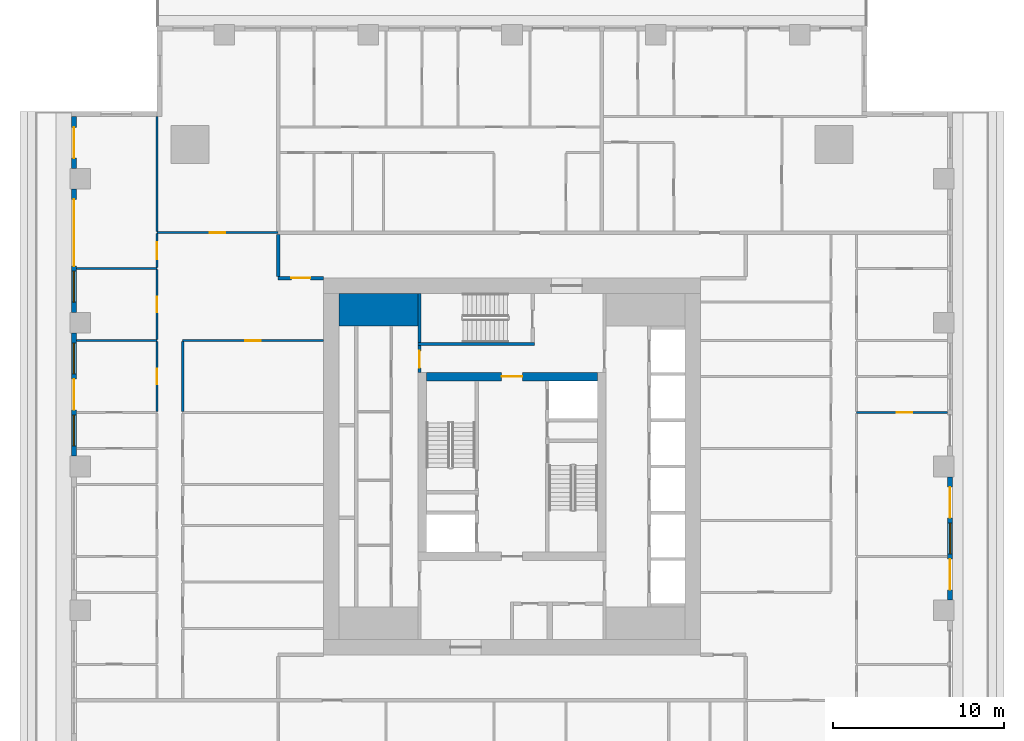
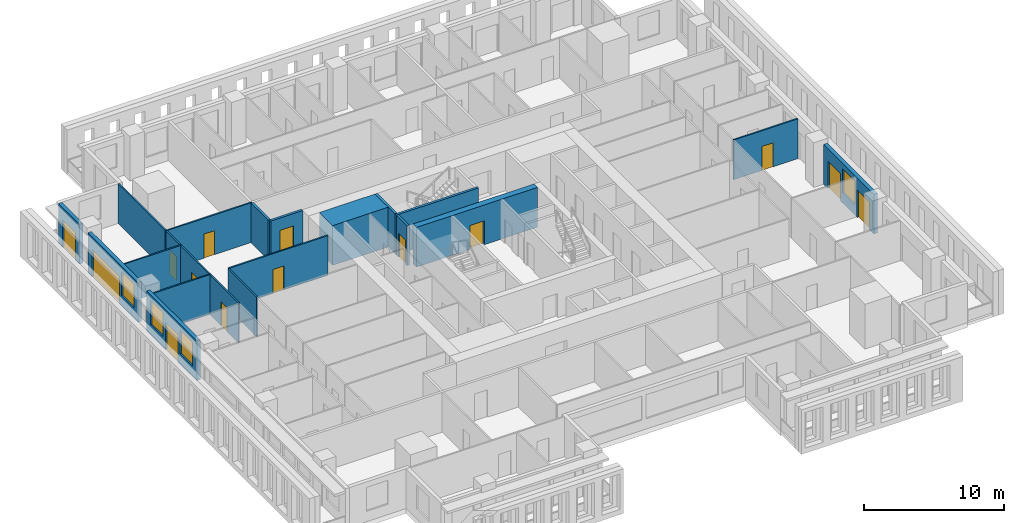
# One storey, part 6 of 15: 21 walls, 14 doors, 4 windows, 18 openings.
"""IFC4 building model written with IfcOpenShell, lengths in metres."""

from ifc_helpers import new_model, si_unit, direction, frame, frame_2d, origin, place, context, subcontext, project, spatial, rectangle, extrude, material, layer, layer_set, type_object, element, fill, save


model = new_model("IFC4")

# Units and contexts
model_context = context("Model", 3, precision=1e-05, world=origin(), true_north=direction((0.0, 1.0)))
body_context = subcontext(model_context, "Body", "Model", "MODEL_VIEW")
ifc_project = project(units=[si_unit("LENGTHUNIT", "METRE"), si_unit("AREAUNIT", "SQUARE_METRE"), si_unit("VOLUMEUNIT", "CUBIC_METRE"), si_unit("PLANEANGLEUNIT", "RADIAN"), si_unit("MASSUNIT", "GRAM", prefix="KILO")], contexts=[model_context])

# Site, building, storey
site_placement = place(None, origin())
site = spatial("IfcSite", under=ifc_project, at=site_placement, CompositionType="ELEMENT")
building_placement = place(site_placement, origin())
building = spatial("IfcBuilding", under=site, at=building_placement, Name="Khepri Terraces", CompositionType="ELEMENT")
storey_placement = place(building_placement, frame((0.0, 0.0, 260.10009765625)))
storey = spatial("IfcBuildingStorey", under=building, at=storey_placement, Name="L62", CompositionType="ELEMENT", Elevation=260.10009765625)

# Walls
ifc_material_1 = material(Name="Concrete C40/50", Category="concrete")
ifc_layer_1 = layer(ifc_material_1, 1.89990234375, Name="Concrete C40/50", Category="concrete")
ifc_layer_set_1 = layer_set([ifc_layer_1], Name="Concrete C40/50")
wall_type_1 = type_object("IfcWallType", Name="Core wall 1900 C40/50", PredefinedType="SHEAR", material=ifc_layer_set_1)
wall_1_placement = place(storey_placement, frame((-10.10009765625, 9.14990234375, 0.0), z_axis=(0.0, 0.0, 1.0), x_axis=(1.0, 0.0, 0.0)))
element("IfcWall", 1, at=wall_1_placement, inside=storey, type_object=wall_type_1, Name="Core wall PR03 L62", PredefinedType="SHEAR", context=body_context, shape_type="SweptSolid", body=[
    extrude(rectangle(XDim=4.60009765625, YDim=1.89990234375, at=frame_2d((2.300048828125, 0.0))), origin(), (0.0, 0.0, 1.0), 3.47998046875),
])
ifc_layer_2 = layer(ifc_material_1, 0.199951171875, Name="Concrete C40/50", Category="concrete")
ifc_layer_set_2 = layer_set([ifc_layer_2], Name="Concrete C40/50")
wall_type_2 = type_object("IfcWallType", Name="Core wall 200 C40/50", PredefinedType="SHEAR", material=ifc_layer_set_2)
wall_2_placement = place(storey_placement, frame((-5.5, 7.14990234375, 0.0), z_axis=(0.0, 0.0, 1.0), x_axis=(1.0, 0.0, 0.0)))
element("IfcWall", 2, at=wall_2_placement, inside=storey, type_object=wall_type_2, Name="Core wall ST05 L62", PredefinedType="SHEAR", context=body_context, shape_type="SweptSolid", body=[
    extrude(rectangle(XDim=6.800048828125, YDim=0.199951171875, at=frame_2d((3.39990234375, 0.0))), origin(), (0.0, 0.0, 1.0), 3.47998046875),
])
wall_3_placement = place(storey_placement, frame((-5.39990234375, 7.25, 0.0), z_axis=(0.0, 0.0, 1.0), x_axis=(0.0, 1.0, 0.0)))
element("IfcWall", 3, at=wall_3_placement, inside=storey, type_object=wall_type_2, Name="Core wall ST06 L62", PredefinedType="SHEAR", context=body_context, shape_type="SweptSolid", body=[
    extrude(rectangle(XDim=2.85009765625, YDim=0.199951171875, at=frame_2d((1.425048828125, 0.0))), origin(), (0.0, 0.0, 1.0), 3.47998046875),
])

# Wall, opening, door
ifc_layer_3 = layer(ifc_material_1, 0.5, Name="Concrete C40/50", Category="concrete")
ifc_layer_set_3 = layer_set([ifc_layer_3], Name="Concrete C40/50")
wall_type_3 = type_object("IfcWallType", Name="Core wall 500 C40/50", PredefinedType="SHEAR", material=ifc_layer_set_3)
wall_4_placement = place(storey_placement, frame((-5.0, 5.25, 0.0), z_axis=(0.0, 0.0, 1.0), x_axis=(1.0, 0.0, 0.0)))
wall_4 = element("IfcWall", 4, at=wall_4_placement, inside=storey, type_object=wall_type_3, Name="Core wall BX04 L62", PredefinedType="SHEAR", context=body_context, shape_type="SweptSolid", body=[
    extrude(rectangle(XDim=10.0, YDim=0.5, at=frame_2d((5.0, 0.0))), origin(), (0.0, 0.0, 1.0), 3.47998046875),
])
opening_1_placement = place(wall_4_placement, frame((4.39990234375, 0.0, 0.0)))
opening_1 = element("IfcOpeningElement", 5, at=opening_1_placement, cuts=wall_4, Name="Opening L62-C13", PredefinedType="OPENING", context=body_context, shape_type="SweptSolid", body=[
    extrude(rectangle(XDim=1.199951171875, YDim=2.10009765625, at=frame_2d((0.60009765625, 1.050048828125))), frame((0.0, 0.260009765625, 0.0), z_axis=(0.0, -1.0, 0.0), x_axis=(1.0, 0.0, 0.0)), (0.0, 0.0, 1.0), 0.52001953125),
])
ifc_material_2 = material(Name="Painted steel", Category="steel")
door_type_1 = type_object("IfcDoorType", Name="DR-CORE-FF-LOBBY-1200", OperationType="NOTDEFINED", PredefinedType="DOOR", material=ifc_material_2)
door_1_placement = place(opening_1_placement, frame((1.199951171875, 0.0, 0.0), z_axis=(0.0, 0.0, 1.0), x_axis=(-1.0, 0.0, 0.0)))
door_1 = element("IfcDoor", 6, at=door_1_placement, inside=storey, type_object=door_type_1, Name="Firefighting lobby door L62-C13", OperationType="SINGLE_SWING_LEFT", OverallHeight=2.10009765625, OverallWidth=1.199951171875, PredefinedType="DOOR", context=body_context, shape_type="SweptSolid", body=[
    extrude(rectangle(XDim=1.199951171875, YDim=2.10009765625, at=frame_2d((0.60009765625, 1.050048828125))), frame((0.0, 0.02490234375, 0.0), z_axis=(0.0, -1.0, 0.0), x_axis=(1.0, 0.0, 0.0)), (0.0, 0.0, 1.0), 0.050048828125),
])
fill(opening_1, door_1)

ifc_material_3 = material(Name="Fire-rated gypsum board partition")
ifc_layer_4 = layer(ifc_material_3, 0.199951171875, Name="Fire-rated gypsum board partition")
ifc_layer_set_4 = layer_set([ifc_layer_4], Name="Fire-rated gypsum board partition")
wall_type_4 = type_object("IfcWallType", Name="WL-CORE-PART-200", PredefinedType="PARTITIONING", material=ifc_layer_set_4)
wall_5_placement = place(storey_placement, frame((-5.39990234375, 5.5, 0.0), z_axis=(0.0, 0.0, 1.0), x_axis=(0.0, 1.0, 0.0)))
wall_5 = element("IfcWall", 7, at=wall_5_placement, inside=storey, type_object=wall_type_4, Name="Core partition PT11 L62", PredefinedType="PARTITIONING", context=body_context, shape_type="SweptSolid", body=[
    extrude(rectangle(XDim=1.550048828125, YDim=0.199951171875, at=frame_2d((0.77490234375, 0.0))), origin(), (0.0, 0.0, 1.0), 3.47998046875),
])
opening_2_placement = place(wall_5_placement, frame((0.25, 0.0, 0.0)))
opening_2 = element("IfcOpeningElement", 8, at=opening_2_placement, cuts=wall_5, Name="Opening L62-C16", PredefinedType="OPENING", context=body_context, shape_type="SweptSolid", body=[
    extrude(rectangle(XDim=1.0, YDim=2.10009765625, at=frame_2d((0.5, 1.050048828125))), frame((0.0, 0.10986328125, 0.0), z_axis=(0.0, -1.0, 0.0), x_axis=(1.0, 0.0, 0.0)), (0.0, 0.0, 1.0), 0.219970703125),
])
door_type_2 = type_object("IfcDoorType", Name="DR-CORE-LOBBY-1000", OperationType="NOTDEFINED", PredefinedType="DOOR", material=ifc_material_2)
door_2_placement = place(opening_2_placement, frame((1.0, 0.0, 0.0), z_axis=(0.0, 0.0, 1.0), x_axis=(-1.0, 0.0, 0.0)))
door_2 = element("IfcDoor", 9, at=door_2_placement, inside=storey, type_object=door_type_2, Name="Lobby door L62-C16", OperationType="SINGLE_SWING_RIGHT", OverallHeight=2.10009765625, OverallWidth=1.0, PredefinedType="DOOR", context=body_context, shape_type="SweptSolid", body=[
    extrude(rectangle(XDim=1.0, YDim=2.10009765625, at=frame_2d((0.5, 1.050048828125))), frame((0.0, 0.02490234375, 0.0), z_axis=(0.0, -1.0, 0.0), x_axis=(1.0, 0.0, 0.0)), (0.0, 0.0, 1.0), 0.050048828125),
])
fill(opening_2, door_2)

ifc_material_4 = material(Name="Fire-rated gypsum plasterboard partition, mineral wool")
ifc_layer_5 = layer(ifc_material_4, 0.199951171875, Name="Fire-rated gypsum plasterboard partition, mineral wool")
ifc_layer_set_5 = layer_set([ifc_layer_5], Name="Fire-rated gypsum plasterboard partition, mineral wool")
wall_type_5 = type_object("IfcWallType", Name="WL-CORR-200", PredefinedType="PARTITIONING", material=ifc_layer_set_5)
wall_6_placement = place(storey_placement, frame((-13.64990234375, 11.0, 0.0), z_axis=(0.0, 0.0, 1.0), x_axis=(1.0, 0.0, 0.0)))
wall_6 = element("IfcWall", 10, at=wall_6_placement, inside=storey, type_object=wall_type_5, Name="Partition P-071 L62", PredefinedType="PARTITIONING", context=body_context, shape_type="SweptSolid", body=[
    extrude(rectangle(XDim=2.64990234375, YDim=0.199951171875, at=frame_2d((1.324951171875, 0.0))), origin(), (0.0, 0.0, 1.0), 3.47998046875),
])
opening_3_placement = place(wall_6_placement, frame((0.77490234375, 0.0, 0.0)))
opening_3 = element("IfcOpeningElement", 11, at=opening_3_placement, cuts=wall_6, Name="Opening D1", PredefinedType="OPENING", context=body_context, shape_type="SweptSolid", body=[
    extrude(rectangle(XDim=1.10009765625, YDim=2.39990234375, at=frame_2d((0.550048828125, 1.199951171875))), frame((0.0, 0.10986328125, 0.0), z_axis=(0.0, -1.0, 0.0), x_axis=(1.0, 0.0, 0.0)), (0.0, 0.0, 1.0), 0.219970703125),
])
ifc_material_5 = material(Name="Solid-core timber door leaf, flat entrance door", Category="wood")
door_type_3 = type_object("IfcDoorType", Name="DR-ENT-1100", OperationType="NOTDEFINED", PredefinedType="DOOR", material=ifc_material_5)
door_3_placement = place(opening_3_placement, frame((1.10009765625, 0.0, 0.0), z_axis=(0.0, 0.0, 1.0), x_axis=(-1.0, 0.0, 0.0)))
door_3 = element("IfcDoor", 12, at=door_3_placement, inside=storey, type_object=door_type_3, Name="Flat D1 entrance door", OperationType="SINGLE_SWING_LEFT", OverallHeight=2.39990234375, OverallWidth=1.10009765625, PredefinedType="DOOR", context=body_context, shape_type="SweptSolid", body=[
    extrude(rectangle(XDim=1.10009765625, YDim=2.39990234375, at=frame_2d((0.550048828125, 1.199951171875))), frame((0.0, 0.02490234375, 0.0), z_axis=(0.0, -1.0, 0.0), x_axis=(1.0, 0.0, 0.0)), (0.0, 0.0, 1.0), 0.050048828125),
])
fill(opening_3, door_3)

# Wall
wall_7_placement = place(storey_placement, frame((-13.64990234375, 11.10009765625, 0.0), z_axis=(0.0, 0.0, 1.0), x_axis=(0.0, 1.0, 0.0)))
element("IfcWall", 13, at=wall_7_placement, inside=storey, type_object=wall_type_5, Name="Partition P-073 L62", PredefinedType="PARTITIONING", context=body_context, shape_type="SweptSolid", body=[
    extrude(rectangle(XDim=2.449951171875, YDim=0.199951171875, at=frame_2d((1.22509765625, 0.0))), origin(), (0.0, 0.0, 1.0), 3.47998046875),
])

# Wall, openings, doors, window
ifc_material_6 = material(Name="Precast concrete C50/60 warm stone", Category="masonry")
ifc_layer_6 = layer(ifc_material_6, 0.300048828125, Name="Precast concrete C50/60 warm stone", Category="masonry")
ifc_layer_set_6 = layer_set([ifc_layer_6], Name="Precast concrete C50/60 warm stone")
wall_type_6 = type_object("IfcWallType", Name="WL-EXT-PRECAST-300", PredefinedType="STANDARD", material=ifc_layer_set_6)
wall_8_placement = place(storey_placement, frame((25.570068359375, -7.800048828125, 0.0), z_axis=(0.0, 0.0, 1.0), x_axis=(0.0, 1.0, 0.0)))
wall_8 = element("IfcWall", 14, at=wall_8_placement, inside=storey, type_object=wall_type_6, Name="External wall L62 E", PredefinedType="STANDARD", context=body_context, shape_type="SweptSolid", body=[
    extrude(rectangle(XDim=7.199951171875, YDim=0.300048828125, at=frame_2d((3.60009765625, 0.0))), origin(), (0.0, 0.0, 1.0), 3.47998046875),
])
opening_4_placement = place(wall_8_placement, frame((0.60009765625, 0.0, 0.0)))
opening_4 = element("IfcOpeningElement", 15, at=opening_4_placement, cuts=wall_8, Name="Opening ED-L62-04", PredefinedType="OPENING", context=body_context, shape_type="SweptSolid", body=[
    extrude(rectangle(XDim=1.800048828125, YDim=2.39990234375, at=frame_2d((0.89990234375, 1.199951171875))), frame((0.0, 0.16015625, 0.0), z_axis=(0.0, -1.0, 0.0), x_axis=(1.0, 0.0, 0.0)), (0.0, 0.0, 1.0), 0.320068359375),
])
opening_5_placement = place(wall_8_placement, frame((2.699951171875, 0.0, 0.89990234375)))
opening_5 = element("IfcOpeningElement", 16, at=opening_5_placement, cuts=wall_8, Name="Opening W1", PredefinedType="OPENING", context=body_context, shape_type="SweptSolid", body=[
    extrude(rectangle(XDim=1.800048828125, YDim=2.10009765625, at=frame_2d((0.89990234375, 1.050048828125))), frame((0.0, 0.16015625, 0.0), z_axis=(0.0, -1.0, 0.0), x_axis=(1.0, 0.0, 0.0)), (0.0, 0.0, 1.0), 0.320068359375),
])
opening_6_placement = place(wall_8_placement, frame((4.800048828125, 0.0, 0.0)))
opening_6 = element("IfcOpeningElement", 17, at=opening_6_placement, cuts=wall_8, Name="Opening ED-L62-05", PredefinedType="OPENING", context=body_context, shape_type="SweptSolid", body=[
    extrude(rectangle(XDim=1.800048828125, YDim=2.39990234375, at=frame_2d((0.89990234375, 1.199951171875))), frame((0.0, 0.16015625, 0.0), z_axis=(0.0, -1.0, 0.0), x_axis=(1.0, 0.0, 0.0)), (0.0, 0.0, 1.0), 0.320068359375),
])
ifc_material_7 = material(Name="Anodised aluminium bronze glazed door", Category="aluminium")
door_type_4 = type_object("IfcDoorType", Name="DR-BAL-SLIDE-1800x2400", OperationType="NOTDEFINED", PredefinedType="DOOR", material=ifc_material_7)
door_4_placement = place(opening_4_placement, origin())
door_4 = element("IfcDoor", 18, at=door_4_placement, inside=storey, type_object=door_type_4, Name="Balcony door L62 E", OperationType="SLIDING_TO_LEFT", OverallHeight=2.39990234375, OverallWidth=1.800048828125, PredefinedType="DOOR", context=body_context, shape_type="SweptSolid", body=[
    extrude(rectangle(XDim=1.800048828125, YDim=2.39990234375, at=frame_2d((0.89990234375, 1.199951171875))), frame((0.0, 0.02490234375, 0.0), z_axis=(0.0, -1.0, 0.0), x_axis=(1.0, 0.0, 0.0)), (0.0, 0.0, 1.0), 0.050048828125),
])
fill(opening_4, door_4)
door_5_placement = place(opening_6_placement, origin())
door_5 = element("IfcDoor", 19, at=door_5_placement, inside=storey, type_object=door_type_4, Name="Balcony door L62 E", OperationType="SLIDING_TO_RIGHT", OverallHeight=2.39990234375, OverallWidth=1.800048828125, PredefinedType="DOOR", context=body_context, shape_type="SweptSolid", body=[
    extrude(rectangle(XDim=1.800048828125, YDim=2.39990234375, at=frame_2d((0.89990234375, 1.199951171875))), frame((0.0, 0.02490234375, 0.0), z_axis=(0.0, -1.0, 0.0), x_axis=(1.0, 0.0, 0.0)), (0.0, 0.0, 1.0), 0.050048828125),
])
fill(opening_6, door_5)
ifc_material_8 = material(Name="Clear glass", Category="glass")
window_type = type_object("IfcWindowType", Name="WIN-RES-1800x2100", PartitioningType="SINGLE_PANEL", PredefinedType="WINDOW", material=ifc_material_8)
window_1_placement = place(opening_5_placement, origin())
window_1 = element("IfcWindow", 20, at=window_1_placement, inside=storey, type_object=window_type, Name="Window L62 E", OverallHeight=2.10009765625, OverallWidth=1.800048828125, PartitioningType="SINGLE_PANEL", PredefinedType="WINDOW", context=body_context, shape_type="SweptSolid", body=[
    extrude(rectangle(XDim=1.800048828125, YDim=2.10009765625, at=frame_2d((0.89990234375, 1.050048828125))), frame((0.0, 0.030029296875, 0.0), z_axis=(0.0, -1.0, 0.0), x_axis=(1.0, 0.0, 0.0)), (0.0, 0.0, 1.0), 0.06005859375),
])
fill(opening_5, window_1)

# Wall, opening, door
wall_9_placement = place(storey_placement, frame((-25.570068359375, 20.419921875, 0.0), z_axis=(0.0, 0.0, 1.0), x_axis=(0.0, -1.0, 0.0)))
wall_9 = element("IfcWall", 21, at=wall_9_placement, inside=storey, type_object=wall_type_6, Name="External wall L62 W", PredefinedType="STANDARD", context=body_context, shape_type="SweptSolid", body=[
    extrude(rectangle(XDim=3.02001953125, YDim=0.300048828125, at=frame_2d((1.510009765625, 0.0))), origin(), (0.0, 0.0, 1.0), 3.47998046875),
])
opening_7_placement = place(wall_9_placement, frame((0.6201171875, 0.0, 0.0)))
opening_7 = element("IfcOpeningElement", 22, at=opening_7_placement, cuts=wall_9, Name="Opening ED-L62-12", PredefinedType="OPENING", context=body_context, shape_type="SweptSolid", body=[
    extrude(rectangle(XDim=1.800048828125, YDim=2.39990234375, at=frame_2d((0.89990234375, 1.199951171875))), frame((0.0, 0.16015625, 0.0), z_axis=(0.0, -1.0, 0.0), x_axis=(1.0, 0.0, 0.0)), (0.0, 0.0, 1.0), 0.320068359375),
])
door_6_placement = place(opening_7_placement, origin())
door_6 = element("IfcDoor", 23, at=door_6_placement, inside=storey, type_object=door_type_4, Name="Balcony door L62 W", OperationType="SLIDING_TO_RIGHT", OverallHeight=2.39990234375, OverallWidth=1.800048828125, PredefinedType="DOOR", context=body_context, shape_type="SweptSolid", body=[
    extrude(rectangle(XDim=1.800048828125, YDim=2.39990234375, at=frame_2d((0.89990234375, 1.199951171875))), frame((0.0, 0.02490234375, 0.0), z_axis=(0.0, -1.0, 0.0), x_axis=(1.0, 0.0, 0.0)), (0.0, 0.0, 1.0), 0.050048828125),
])
fill(opening_7, door_6)

# Wall, openings, door, window
wall_10_placement = place(storey_placement, frame((-25.570068359375, 16.199951171875, 0.0), z_axis=(0.0, 0.0, 1.0), x_axis=(0.0, -1.0, 0.0)))
wall_10 = element("IfcWall", 24, at=wall_10_placement, inside=storey, type_object=wall_type_6, Name="External wall L62 W", PredefinedType="STANDARD", context=body_context, shape_type="SweptSolid", body=[
    extrude(rectangle(XDim=7.199951171875, YDim=0.300048828125, at=frame_2d((3.60009765625, 0.0))), origin(), (0.0, 0.0, 1.0), 3.47998046875),
])
opening_8_placement = place(wall_10_placement, frame((0.60009765625, 0.0, 0.0)))
opening_8 = element("IfcOpeningElement", 25, at=opening_8_placement, cuts=wall_10, Name="Opening ED-L62-13", PredefinedType="OPENING", context=body_context, shape_type="SweptSolid", body=[
    extrude(rectangle(XDim=3.89990234375, YDim=2.39990234375, at=frame_2d((1.949951171875, 1.199951171875))), frame((0.0, 0.16015625, 0.0), z_axis=(0.0, -1.0, 0.0), x_axis=(1.0, 0.0, 0.0)), (0.0, 0.0, 1.0), 0.320068359375),
])
opening_9_placement = place(wall_10_placement, frame((4.800048828125, 0.0, 0.89990234375)))
opening_9 = element("IfcOpeningElement", 26, at=opening_9_placement, cuts=wall_10, Name="Opening W1", PredefinedType="OPENING", context=body_context, shape_type="SweptSolid", body=[
    extrude(rectangle(XDim=1.800048828125, YDim=2.10009765625, at=frame_2d((0.89990234375, 1.050048828125))), frame((0.0, 0.16015625, 0.0), z_axis=(0.0, -1.0, 0.0), x_axis=(1.0, 0.0, 0.0)), (0.0, 0.0, 1.0), 0.320068359375),
])
door_type_5 = type_object("IfcDoorType", Name="DR-BAL-SLIDE-3900x2400", OperationType="NOTDEFINED", PredefinedType="DOOR", material=ifc_material_7)
door_7_placement = place(opening_8_placement, origin())
door_7 = element("IfcDoor", 27, at=door_7_placement, inside=storey, type_object=door_type_5, Name="Balcony door L62 W", OperationType="SLIDING_TO_LEFT", OverallHeight=2.39990234375, OverallWidth=3.89990234375, PredefinedType="DOOR", context=body_context, shape_type="SweptSolid", body=[
    extrude(rectangle(XDim=3.89990234375, YDim=2.39990234375, at=frame_2d((1.949951171875, 1.199951171875))), frame((0.0, 0.02490234375, 0.0), z_axis=(0.0, -1.0, 0.0), x_axis=(1.0, 0.0, 0.0)), (0.0, 0.0, 1.0), 0.050048828125),
])
fill(opening_8, door_7)
window_2_placement = place(opening_9_placement, origin())
window_2 = element("IfcWindow", 28, at=window_2_placement, inside=storey, type_object=window_type, Name="Window L62 W", OverallHeight=2.10009765625, OverallWidth=1.800048828125, PartitioningType="SINGLE_PANEL", PredefinedType="WINDOW", context=body_context, shape_type="SweptSolid", body=[
    extrude(rectangle(XDim=1.800048828125, YDim=2.10009765625, at=frame_2d((0.89990234375, 1.050048828125))), frame((0.0, 0.030029296875, 0.0), z_axis=(0.0, -1.0, 0.0), x_axis=(1.0, 0.0, 0.0)), (0.0, 0.0, 1.0), 0.06005859375),
])
fill(opening_9, window_2)

# Wall, openings, door, windows
wall_11_placement = place(storey_placement, frame((-25.570068359375, 7.800048828125, 0.0), z_axis=(0.0, 0.0, 1.0), x_axis=(0.0, -1.0, 0.0)))
wall_11 = element("IfcWall", 29, at=wall_11_placement, inside=storey, type_object=wall_type_6, Name="External wall L62 W", PredefinedType="STANDARD", context=body_context, shape_type="SweptSolid", body=[
    extrude(rectangle(XDim=7.199951171875, YDim=0.300048828125, at=frame_2d((3.60009765625, 0.0))), origin(), (0.0, 0.0, 1.0), 3.47998046875),
])
opening_10_placement = place(wall_11_placement, frame((0.60009765625, 0.0, 0.89990234375)))
opening_10 = element("IfcOpeningElement", 30, at=opening_10_placement, cuts=wall_11, Name="Opening W1", PredefinedType="OPENING", context=body_context, shape_type="SweptSolid", body=[
    extrude(rectangle(XDim=1.800048828125, YDim=2.10009765625, at=frame_2d((0.89990234375, 1.050048828125))), frame((0.0, 0.16015625, 0.0), z_axis=(0.0, -1.0, 0.0), x_axis=(1.0, 0.0, 0.0)), (0.0, 0.0, 1.0), 0.320068359375),
])
opening_11_placement = place(wall_11_placement, frame((2.699951171875, 0.0, 0.0)))
opening_11 = element("IfcOpeningElement", 31, at=opening_11_placement, cuts=wall_11, Name="Opening ED-L62-14", PredefinedType="OPENING", context=body_context, shape_type="SweptSolid", body=[
    extrude(rectangle(XDim=1.800048828125, YDim=2.39990234375, at=frame_2d((0.89990234375, 1.199951171875))), frame((0.0, 0.16015625, 0.0), z_axis=(0.0, -1.0, 0.0), x_axis=(1.0, 0.0, 0.0)), (0.0, 0.0, 1.0), 0.320068359375),
])
opening_12_placement = place(wall_11_placement, frame((4.800048828125, 0.0, 0.89990234375)))
opening_12 = element("IfcOpeningElement", 32, at=opening_12_placement, cuts=wall_11, Name="Opening W1", PredefinedType="OPENING", context=body_context, shape_type="SweptSolid", body=[
    extrude(rectangle(XDim=1.800048828125, YDim=2.10009765625, at=frame_2d((0.89990234375, 1.050048828125))), frame((0.0, 0.16015625, 0.0), z_axis=(0.0, -1.0, 0.0), x_axis=(1.0, 0.0, 0.0)), (0.0, 0.0, 1.0), 0.320068359375),
])
door_8_placement = place(opening_11_placement, origin())
door_8 = element("IfcDoor", 33, at=door_8_placement, inside=storey, type_object=door_type_4, Name="Balcony door L62 W", OperationType="SLIDING_TO_LEFT", OverallHeight=2.39990234375, OverallWidth=1.800048828125, PredefinedType="DOOR", context=body_context, shape_type="SweptSolid", body=[
    extrude(rectangle(XDim=1.800048828125, YDim=2.39990234375, at=frame_2d((0.89990234375, 1.199951171875))), frame((0.0, 0.02490234375, 0.0), z_axis=(0.0, -1.0, 0.0), x_axis=(1.0, 0.0, 0.0)), (0.0, 0.0, 1.0), 0.050048828125),
])
fill(opening_11, door_8)
window_3_placement = place(opening_10_placement, origin())
window_3 = element("IfcWindow", 34, at=window_3_placement, inside=storey, type_object=window_type, Name="Window L62 W", OverallHeight=2.10009765625, OverallWidth=1.800048828125, PartitioningType="SINGLE_PANEL", PredefinedType="WINDOW", context=body_context, shape_type="SweptSolid", body=[
    extrude(rectangle(XDim=1.800048828125, YDim=2.10009765625, at=frame_2d((0.89990234375, 1.050048828125))), frame((0.0, 0.030029296875, 0.0), z_axis=(0.0, -1.0, 0.0), x_axis=(1.0, 0.0, 0.0)), (0.0, 0.0, 1.0), 0.06005859375),
])
fill(opening_10, window_3)
window_4_placement = place(opening_12_placement, origin())
window_4 = element("IfcWindow", 35, at=window_4_placement, inside=storey, type_object=window_type, Name="Window L62 W", OverallHeight=2.10009765625, OverallWidth=1.800048828125, PartitioningType="SINGLE_PANEL", PredefinedType="WINDOW", context=body_context, shape_type="SweptSolid", body=[
    extrude(rectangle(XDim=1.800048828125, YDim=2.10009765625, at=frame_2d((0.89990234375, 1.050048828125))), frame((0.0, 0.030029296875, 0.0), z_axis=(0.0, -1.0, 0.0), x_axis=(1.0, 0.0, 0.0)), (0.0, 0.0, 1.0), 0.06005859375),
])
fill(opening_12, window_4)

# Wall, opening, door
ifc_material_9 = material(Name="Gypsum plasterboard partition")
ifc_layer_7 = layer(ifc_material_9, 0.1201171875, Name="Gypsum plasterboard partition")
ifc_layer_set_7 = layer_set([ifc_layer_7], Name="Gypsum plasterboard partition")
wall_type_7 = type_object("IfcWallType", Name="WL-PART-120", PredefinedType="PARTITIONING", material=ifc_layer_set_7)
wall_12_placement = place(storey_placement, frame((20.1201171875, 3.14990234375, 0.0), z_axis=(0.0, 0.0, 1.0), x_axis=(1.0, 0.0, 0.0)))
wall_12 = element("IfcWall", 36, at=wall_12_placement, inside=storey, type_object=wall_type_7, Name="Partition P-054 L62", PredefinedType="PARTITIONING", context=body_context, shape_type="SweptSolid", body=[
    extrude(rectangle(XDim=5.2998046875, YDim=0.1201171875, at=frame_2d((2.64990234375, 0.0))), origin(), (0.0, 0.0, 1.0), 3.47998046875),
])
opening_13_placement = place(wall_12_placement, frame((2.35009765625, 0.0, 0.0)))
opening_13 = element("IfcOpeningElement", 37, at=opening_13_placement, cuts=wall_12, Name="Opening D3", PredefinedType="OPENING", context=body_context, shape_type="SweptSolid", body=[
    extrude(rectangle(XDim=0.89990234375, YDim=2.10009765625, at=frame_2d((0.449951171875, 1.050048828125))), frame((0.0, 0.070068359375, 0.0), z_axis=(0.0, -1.0, 0.0), x_axis=(1.0, 0.0, 0.0)), (0.0, 0.0, 1.0), 0.14013671875),
])
ifc_material_10 = material(Name="Timber door leaf", Category="wood")
door_type_6 = type_object("IfcDoorType", Name="DR-INT-900", OperationType="NOTDEFINED", PredefinedType="DOOR", material=ifc_material_10)
door_9_placement = place(opening_13_placement, origin())
door_9 = element("IfcDoor", 38, at=door_9_placement, inside=storey, type_object=door_type_6, Name="Door Dressing Room", OperationType="SINGLE_SWING_RIGHT", OverallHeight=2.10009765625, OverallWidth=0.89990234375, PredefinedType="DOOR", context=body_context, shape_type="SweptSolid", body=[
    extrude(rectangle(XDim=0.89990234375, YDim=2.10009765625, at=frame_2d((0.449951171875, 1.050048828125))), frame((0.0, 0.02490234375, 0.0), z_axis=(0.0, -1.0, 0.0), x_axis=(1.0, 0.0, 0.0)), (0.0, 0.0, 1.0), 0.050048828125),
])
fill(opening_13, door_9)

wall_13_placement = place(storey_placement, frame((-20.719970703125, 3.2099609375, 0.0), z_axis=(0.0, 0.0, 1.0), x_axis=(0.0, 1.0, 0.0)))
wall_13 = element("IfcWall", 39, at=wall_13_placement, inside=storey, type_object=wall_type_7, Name="Partition P-055 L62", PredefinedType="PARTITIONING", context=body_context, shape_type="SweptSolid", body=[
    extrude(rectangle(XDim=4.080078125, YDim=0.1201171875, at=frame_2d((2.0400390625, 0.0))), origin(), (0.0, 0.0, 1.0), 3.47998046875),
])
opening_14_placement = place(wall_13_placement, frame((1.590087890625, 0.0, 0.0)))
opening_14 = element("IfcOpeningElement", 40, at=opening_14_placement, cuts=wall_13, Name="Opening D3", PredefinedType="OPENING", context=body_context, shape_type="SweptSolid", body=[
    extrude(rectangle(XDim=0.89990234375, YDim=2.10009765625, at=frame_2d((0.449951171875, 1.050048828125))), frame((0.0, 0.070068359375, 0.0), z_axis=(0.0, -1.0, 0.0), x_axis=(1.0, 0.0, 0.0)), (0.0, 0.0, 1.0), 0.14013671875),
])
door_10_placement = place(opening_14_placement, origin())
door_10 = element("IfcDoor", 41, at=door_10_placement, inside=storey, type_object=door_type_6, Name="Door Master Bedroom", OperationType="SINGLE_SWING_RIGHT", OverallHeight=2.10009765625, OverallWidth=0.89990234375, PredefinedType="DOOR", context=body_context, shape_type="SweptSolid", body=[
    extrude(rectangle(XDim=0.89990234375, YDim=2.10009765625, at=frame_2d((0.449951171875, 1.050048828125))), frame((0.0, 0.02490234375, 0.0), z_axis=(0.0, -1.0, 0.0), x_axis=(1.0, 0.0, 0.0)), (0.0, 0.0, 1.0), 0.050048828125),
])
fill(opening_14, door_10)

# Walls
wall_14_placement = place(storey_placement, frame((-19.219970703125, 3.2099609375, 0.0), z_axis=(0.0, 0.0, 1.0), x_axis=(0.0, 1.0, 0.0)))
element("IfcWall", 42, at=wall_14_placement, inside=storey, type_object=wall_type_7, Name="Partition P-056 L62", PredefinedType="PARTITIONING", context=body_context, shape_type="SweptSolid", body=[
    extrude(rectangle(XDim=4.080078125, YDim=0.1201171875, at=frame_2d((2.0400390625, 0.0))), origin(), (0.0, 0.0, 1.0), 3.47998046875),
])
wall_15_placement = place(storey_placement, frame((-25.419921875, 7.35009765625, 0.0), z_axis=(0.0, 0.0, 1.0), x_axis=(1.0, 0.0, 0.0)))
element("IfcWall", 43, at=wall_15_placement, inside=storey, type_object=wall_type_7, Name="Partition P-062 L62", PredefinedType="PARTITIONING", context=body_context, shape_type="SweptSolid", body=[
    extrude(rectangle(XDim=4.699951171875, YDim=0.1201171875, at=frame_2d((2.35009765625, 0.0))), origin(), (0.0, 0.0, 1.0), 3.47998046875),
])

# Wall, opening, door
wall_16_placement = place(storey_placement, frame((-19.219970703125, 7.35009765625, 0.0), z_axis=(0.0, 0.0, 1.0), x_axis=(1.0, 0.0, 0.0)))
wall_16 = element("IfcWall", 44, at=wall_16_placement, inside=storey, type_object=wall_type_7, Name="Partition P-063 L62", PredefinedType="PARTITIONING", context=body_context, shape_type="SweptSolid", body=[
    extrude(rectangle(XDim=8.219970703125, YDim=0.1201171875, at=frame_2d((4.10986328125, 0.0))), origin(), (0.0, 0.0, 1.0), 3.47998046875),
])
opening_15_placement = place(wall_16_placement, frame((3.659912109375, 0.0, 0.0)))
opening_15 = element("IfcOpeningElement", 45, at=opening_15_placement, cuts=wall_16, Name="Opening D3", PredefinedType="OPENING", context=body_context, shape_type="SweptSolid", body=[
    extrude(rectangle(XDim=0.89990234375, YDim=2.10009765625, at=frame_2d((0.449951171875, 1.050048828125))), frame((0.0, 0.070068359375, 0.0), z_axis=(0.0, -1.0, 0.0), x_axis=(1.0, 0.0, 0.0)), (0.0, 0.0, 1.0), 0.14013671875),
])
door_11_placement = place(opening_15_placement, frame((0.89990234375, 0.0, 0.0), z_axis=(0.0, 0.0, 1.0), x_axis=(-1.0, 0.0, 0.0)))
door_11 = element("IfcDoor", 46, at=door_11_placement, inside=storey, type_object=door_type_6, Name="Door Kitchen", OperationType="SINGLE_SWING_LEFT", OverallHeight=2.10009765625, OverallWidth=0.89990234375, PredefinedType="DOOR", context=body_context, shape_type="SweptSolid", body=[
    extrude(rectangle(XDim=0.89990234375, YDim=2.10009765625, at=frame_2d((0.449951171875, 1.050048828125))), frame((0.0, 0.02490234375, 0.0), z_axis=(0.0, -1.0, 0.0), x_axis=(1.0, 0.0, 0.0)), (0.0, 0.0, 1.0), 0.050048828125),
])
fill(opening_15, door_11)

wall_17_placement = place(storey_placement, frame((-20.719970703125, 7.409912109375, 0.0), z_axis=(0.0, 0.0, 1.0), x_axis=(0.0, 1.0, 0.0)))
wall_17 = element("IfcWall", 47, at=wall_17_placement, inside=storey, type_object=wall_type_7, Name="Partition P-066 L62", PredefinedType="PARTITIONING", context=body_context, shape_type="SweptSolid", body=[
    extrude(rectangle(XDim=4.080078125, YDim=0.1201171875, at=frame_2d((2.0400390625, 0.0))), origin(), (0.0, 0.0, 1.0), 3.47998046875),
])
opening_16_placement = place(wall_17_placement, frame((1.590087890625, 0.0, 0.0)))
opening_16 = element("IfcOpeningElement", 48, at=opening_16_placement, cuts=wall_17, Name="Opening D3", PredefinedType="OPENING", context=body_context, shape_type="SweptSolid", body=[
    extrude(rectangle(XDim=0.89990234375, YDim=2.10009765625, at=frame_2d((0.449951171875, 1.050048828125))), frame((0.0, 0.070068359375, 0.0), z_axis=(0.0, -1.0, 0.0), x_axis=(1.0, 0.0, 0.0)), (0.0, 0.0, 1.0), 0.14013671875),
])
door_12_placement = place(opening_16_placement, origin())
door_12 = element("IfcDoor", 49, at=door_12_placement, inside=storey, type_object=door_type_6, Name="Door Study", OperationType="SINGLE_SWING_LEFT", OverallHeight=2.10009765625, OverallWidth=0.89990234375, PredefinedType="DOOR", context=body_context, shape_type="SweptSolid", body=[
    extrude(rectangle(XDim=0.89990234375, YDim=2.10009765625, at=frame_2d((0.449951171875, 1.050048828125))), frame((0.0, 0.02490234375, 0.0), z_axis=(0.0, -1.0, 0.0), x_axis=(1.0, 0.0, 0.0)), (0.0, 0.0, 1.0), 0.050048828125),
])
fill(opening_16, door_12)

# Wall
wall_18_placement = place(storey_placement, frame((-25.419921875, 11.550048828125, 0.0), z_axis=(0.0, 0.0, 1.0), x_axis=(1.0, 0.0, 0.0)))
element("IfcWall", 50, at=wall_18_placement, inside=storey, type_object=wall_type_7, Name="Partition P-075 L62", PredefinedType="PARTITIONING", context=body_context, shape_type="SweptSolid", body=[
    extrude(rectangle(XDim=4.699951171875, YDim=0.1201171875, at=frame_2d((2.35009765625, 0.0))), origin(), (0.0, 0.0, 1.0), 3.47998046875),
])

# Wall, opening, door
wall_19_placement = place(storey_placement, frame((-20.719970703125, 11.610107421875, 0.0), z_axis=(0.0, 0.0, 1.0), x_axis=(0.0, 1.0, 0.0)))
wall_19 = element("IfcWall", 51, at=wall_19_placement, inside=storey, type_object=wall_type_7, Name="Partition P-077 L62", PredefinedType="PARTITIONING", context=body_context, shape_type="SweptSolid", body=[
    extrude(rectangle(XDim=1.97998046875, YDim=0.1201171875, at=frame_2d((0.989990234375, 0.0))), origin(), (0.0, 0.0, 1.0), 3.47998046875),
])
opening_17_placement = place(wall_19_placement, frame((0.489990234375, 0.0, 0.0)))
opening_17 = element("IfcOpeningElement", 52, at=opening_17_placement, cuts=wall_19, Name="Opening D2", PredefinedType="OPENING", context=body_context, shape_type="SweptSolid", body=[
    extrude(rectangle(XDim=1.0, YDim=2.10009765625, at=frame_2d((0.5, 1.050048828125))), frame((0.0, 0.070068359375, 0.0), z_axis=(0.0, -1.0, 0.0), x_axis=(1.0, 0.0, 0.0)), (0.0, 0.0, 1.0), 0.14013671875),
])
ifc_material_11 = material(Name="Timber door leaf, living room door", Category="wood")
door_type_7 = type_object("IfcDoorType", Name="DR-INT-1000", OperationType="NOTDEFINED", PredefinedType="DOOR", material=ifc_material_11)
door_13_placement = place(opening_17_placement, origin())
door_13 = element("IfcDoor", 53, at=door_13_placement, inside=storey, type_object=door_type_7, Name="Door Living Room", OperationType="SINGLE_SWING_RIGHT", OverallHeight=2.10009765625, OverallWidth=1.0, PredefinedType="DOOR", context=body_context, shape_type="SweptSolid", body=[
    extrude(rectangle(XDim=1.0, YDim=2.10009765625, at=frame_2d((0.5, 1.050048828125))), frame((0.0, 0.02490234375, 0.0), z_axis=(0.0, -1.0, 0.0), x_axis=(1.0, 0.0, 0.0)), (0.0, 0.0, 1.0), 0.050048828125),
])
fill(opening_17, door_13)

wall_20_placement = place(storey_placement, frame((-20.719970703125, 13.64990234375, 0.0), z_axis=(0.0, 0.0, 1.0), x_axis=(1.0, 0.0, 0.0)))
wall_20 = element("IfcWall", 54, at=wall_20_placement, inside=storey, type_object=wall_type_7, Name="Partition P-079 L62", PredefinedType="PARTITIONING", context=body_context, shape_type="SweptSolid", body=[
    extrude(rectangle(XDim=7.070068359375, YDim=0.1201171875, at=frame_2d((3.53515625, 0.0))), origin(), (0.0, 0.0, 1.0), 3.47998046875),
])
opening_18_placement = place(wall_20_placement, frame((3.0849609375, 0.0, 0.0)))
opening_18 = element("IfcOpeningElement", 55, at=opening_18_placement, cuts=wall_20, Name="Opening D3", PredefinedType="OPENING", context=body_context, shape_type="SweptSolid", body=[
    extrude(rectangle(XDim=0.89990234375, YDim=2.10009765625, at=frame_2d((0.449951171875, 1.050048828125))), frame((0.0, 0.070068359375, 0.0), z_axis=(0.0, -1.0, 0.0), x_axis=(1.0, 0.0, 0.0)), (0.0, 0.0, 1.0), 0.14013671875),
])
door_14_placement = place(opening_18_placement, origin())
door_14 = element("IfcDoor", 56, at=door_14_placement, inside=storey, type_object=door_type_6, Name="Door Library", OperationType="SINGLE_SWING_RIGHT", OverallHeight=2.10009765625, OverallWidth=0.89990234375, PredefinedType="DOOR", context=body_context, shape_type="SweptSolid", body=[
    extrude(rectangle(XDim=0.89990234375, YDim=2.10009765625, at=frame_2d((0.449951171875, 1.050048828125))), frame((0.0, 0.02490234375, 0.0), z_axis=(0.0, -1.0, 0.0), x_axis=(1.0, 0.0, 0.0)), (0.0, 0.0, 1.0), 0.050048828125),
])
fill(opening_18, door_14)

# Wall
wall_21_placement = place(storey_placement, frame((-20.719970703125, 13.7099609375, 0.0), z_axis=(0.0, 0.0, 1.0), x_axis=(0.0, 1.0, 0.0)))
element("IfcWall", 57, at=wall_21_placement, inside=storey, type_object=wall_type_7, Name="Partition P-081 L62", PredefinedType="PARTITIONING", context=body_context, shape_type="SweptSolid", body=[
    extrude(rectangle(XDim=6.7099609375, YDim=0.1201171875, at=frame_2d((3.35498046875, 0.0))), origin(), (0.0, 0.0, 1.0), 3.47998046875),
])

save(model, "model.ifc")
